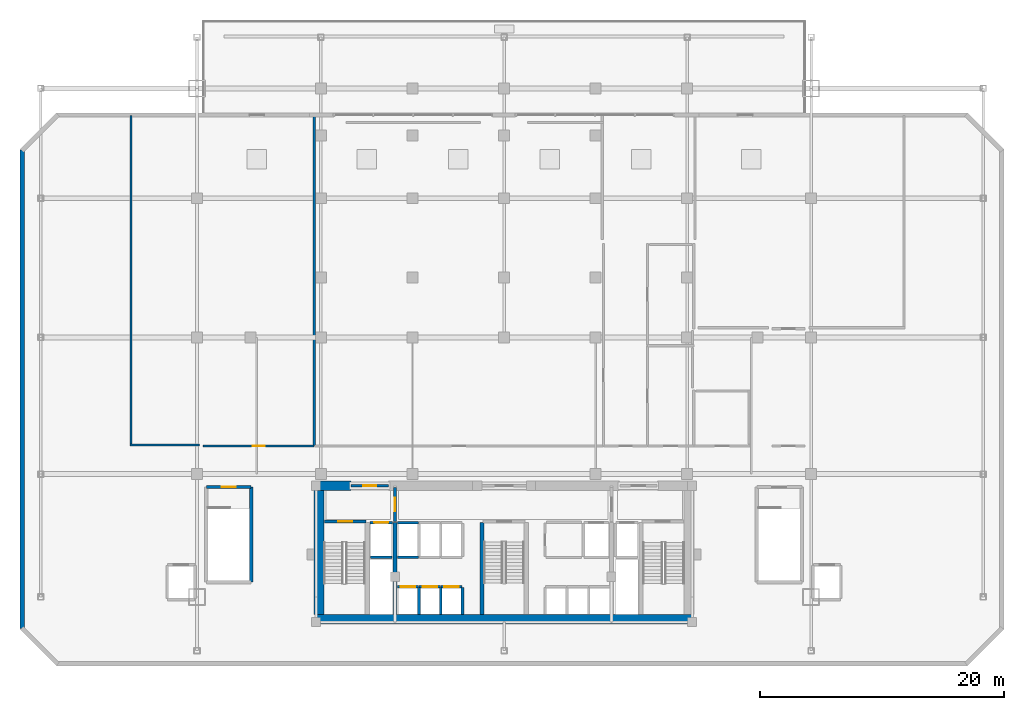
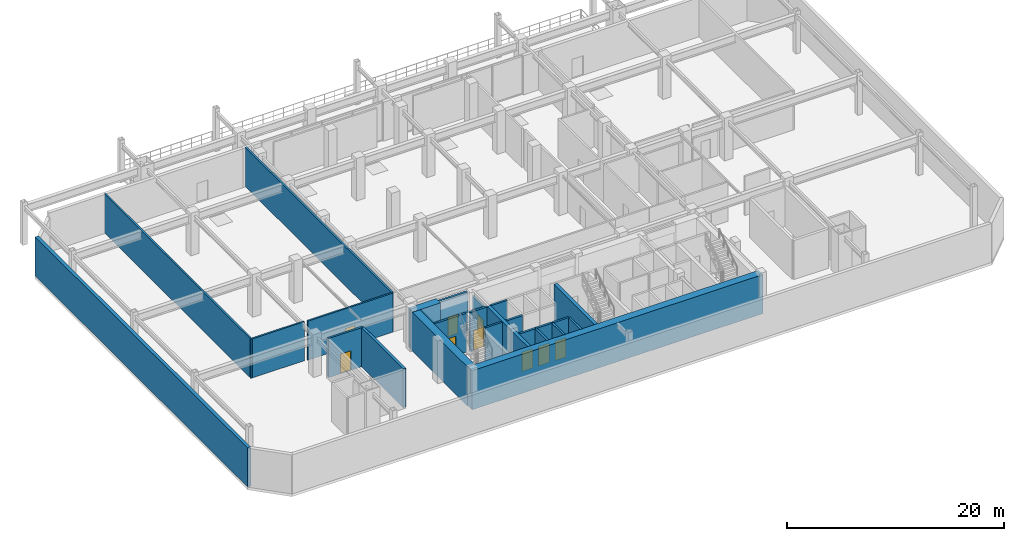
# One storey, part 10 of 15: 25 walls, 9 doors, 9 openings.
"""IFC4 building model written with IfcOpenShell, lengths in metres."""

from ifc_helpers import new_model, si_unit, direction, frame, frame_2d, origin, place, context, subcontext, project, spatial, rectangle, extrude, material, layer, layer_set, type_object, element, fill, save


model = new_model("IFC4")

# Units and contexts
model_context = context("Model", 3, precision=1e-05, world=origin(), true_north=direction((0.0, 1.0)))
body_context = subcontext(model_context, "Body", "Model", "MODEL_VIEW")
ifc_project = project(units=[si_unit("LENGTHUNIT", "METRE"), si_unit("AREAUNIT", "SQUARE_METRE"), si_unit("VOLUMEUNIT", "CUBIC_METRE"), si_unit("PLANEANGLEUNIT", "RADIAN"), si_unit("MASSUNIT", "GRAM", prefix="KILO")], contexts=[model_context])

# Site, building, storey
site_placement = place(None, origin())
site = spatial("IfcSite", under=ifc_project, at=site_placement, CompositionType="ELEMENT")
building_placement = place(site_placement, origin())
building = spatial("IfcBuilding", under=site, at=building_placement, Name="Ventersveld Concourse Tower", CompositionType="ELEMENT")
storey_placement = place(building_placement, frame((0.0, 0.0, 19.800048828125)))
storey = spatial("IfcBuildingStorey", under=building, at=storey_placement, Name="L04", CompositionType="ELEMENT", Elevation=19.800048828125)

# Walls
ifc_material_1 = material(Name="Concrete C60/75", Category="concrete")
ifc_layer_1 = layer(ifc_material_1, 0.35009765625)
ifc_layer_set_1 = layer_set([ifc_layer_1], Name="Concrete C60/75")
wall_type_1 = type_object("IfcWallType", Name="WL-CORE-350L", PredefinedType="SHEAR", material=ifc_layer_set_1)
for number, where, z_axis, x_axis, name in (
    (1, (19.820068359375, 0.919921875, 0.0), (0.0, 0.0, 1.0), (0.0, 1.0, 0.0), "L04 Core Internal Shear Web W-FF1-E"),
    (2, (26.93994140625, 0.919921875, 0.0), (0.0, 0.0, 1.0), (0.0, 1.0, 0.0), "L04 Core Internal Shear Web W-ST3-W"),
):
    element("IfcWall", number, at=place(storey_placement, frame(where, z_axis=z_axis, x_axis=x_axis)), inside=storey, type_object=wall_type_1, Name=name, PredefinedType="SHEAR", context=body_context, shape_type="SweptSolid", body=[
        extrude(rectangle(XDim=7.5, YDim=0.35009765625, at=frame_2d((3.75, 0.0))), origin(), (0.0, 0.0, 1.0), 4.39990234375),
    ])
ifc_layer_2 = layer(ifc_material_1, 0.800048828125)
ifc_layer_set_2 = layer_set([ifc_layer_2], Name="Concrete C60/75")
wall_type_2 = type_object("IfcWallType", Name="WL-CORE-800", PredefinedType="SHEAR", material=ifc_layer_set_2)
wall_1_placement = place(storey_placement, frame((13.25, 0.52001953125, 0.0), z_axis=(0.0, 0.0, 1.0), x_axis=(1.0, 0.0, 0.0)))
element("IfcWall", 3, at=wall_1_placement, inside=storey, type_object=wall_type_2, Name="L04 Rear Core South Shear Wall", PredefinedType="SHEAR", context=body_context, shape_type="SweptSolid", body=[
    extrude(rectangle(XDim=31.0, YDim=0.800048828125, at=frame_2d((15.5, 0.0))), origin(), (0.0, 0.0, 1.0), 4.39990234375),
])
wall_2_placement = place(storey_placement, frame((13.60009765625, 0.919921875, 0.0), z_axis=(0.0, 0.0, 1.0), x_axis=(0.0, 1.0, 0.0)))
element("IfcWall", 4, at=wall_2_placement, inside=storey, type_object=wall_type_2, Name="L04 Rear Core West Shear Wall", PredefinedType="SHEAR", context=body_context, shape_type="SweptSolid", body=[
    extrude(rectangle(XDim=10.530029296875, YDim=0.800048828125, at=frame_2d((5.26513671875, 0.0))), origin(), (0.0, 0.0, 1.0), 4.39990234375),
])
wall_3_placement = place(storey_placement, frame((13.25, 11.449951171875, 0.0), z_axis=(0.0, 0.0, 1.0), x_axis=(1.0, 0.0, 0.0)))
element("IfcWall", 5, at=wall_3_placement, inside=storey, type_object=wall_type_2, Name="L04 Rear Core North Shear Wall NW", PredefinedType="SHEAR", context=body_context, shape_type="SweptSolid", body=[
    extrude(rectangle(XDim=2.949951171875, YDim=0.800048828125, at=frame_2d((1.47509765625, 0.0))), origin(), (0.0, 0.0, 1.0), 4.39990234375),
])

# Wall, opening, door
ifc_material_2 = material(Name="Fire-rated autoclaved aerated masonry blockwork", Category="masonry")
ifc_layer_3 = layer(ifc_material_2, 0.179931640625)
ifc_layer_set_3 = layer_set([ifc_layer_3], Name="Fire-rated autoclaved aerated masonry blockwork")
wall_type_3 = type_object("IfcWallType", Name="WL-CORR-180", PredefinedType="PARTITIONING", material=ifc_layer_set_3)
wall_4_placement = place(storey_placement, frame((4.10498046875, 14.699951171875, 0.0), z_axis=(0.0, 0.0, 1.0), x_axis=(1.0, 0.0, 0.0)))
wall_4 = element("IfcWall", 6, at=wall_4_placement, inside=storey, type_object=wall_type_3, Name="L04 Interior Partition SP-L04-COR-SP-L04-GYM", PredefinedType="PARTITIONING", context=body_context, shape_type="SweptSolid", body=[
    extrude(rectangle(XDim=9.090087890625, YDim=0.179931640625, at=frame_2d((4.544921875, 0.0))), origin(), (0.0, 0.0, 1.0), 4.39990234375),
])
opening_1_placement = place(wall_4_placement, frame((4.044921875, 0.0, 0.0)))
opening_1 = element("IfcOpeningElement", 7, at=opening_1_placement, cuts=wall_4, Name="Opening FD3", PredefinedType="OPENING", context=body_context, shape_type="SweptSolid", body=[
    extrude(rectangle(XDim=1.0, YDim=2.14990234375, at=frame_2d((0.5, 1.074951171875))), frame((0.0, 0.10009765625, 0.0), z_axis=(0.0, -1.0, 0.0), x_axis=(1.0, 0.0, 0.0)), (0.0, 0.0, 1.0), 0.199951171875),
])
ifc_material_3 = material(Name="Solid-core hardwood veneer timber", Category="wood")
door_type_1 = type_object("IfcDoorType", Name="DR-FLAT-100", OperationType="NOTDEFINED", PredefinedType="DOOR", material=ifc_material_3)
door_1_placement = place(opening_1_placement, origin())
door_1 = element("IfcDoor", 8, at=door_1_placement, inside=storey, type_object=door_type_1, Name="L04 Interior Door SP-L04-COR to SP-L04-GYM (D-L04-0145)", OperationType="SINGLE_SWING_LEFT", OverallHeight=2.14990234375, OverallWidth=1.0, PredefinedType="DOOR", context=body_context, shape_type="SweptSolid", body=[
    extrude(rectangle(XDim=1.0, YDim=2.14990234375, at=frame_2d((0.5, 1.074951171875))), frame((0.0, 0.02490234375, 0.0), z_axis=(0.0, -1.0, 0.0), x_axis=(1.0, 0.0, 0.0)), (0.0, 0.0, 1.0), 0.050048828125),
])
fill(opening_1, door_1)

# Walls
wall_5_placement = place(storey_placement, frame((-1.89501953125, 14.800048828125, 0.0), z_axis=(0.0, 0.0, 1.0), x_axis=(1.0, 0.0, 0.0)))
element("IfcWall", 9, at=wall_5_placement, inside=storey, type_object=wall_type_3, Name="L04 Room Enclosure Wall SP-L04-GYM", PredefinedType="PARTITIONING", context=body_context, shape_type="SweptSolid", body=[
    extrude(rectangle(XDim=5.6875, YDim=0.179931640625, at=frame_2d((2.84375, 0.0))), origin(), (0.0, 0.0, 1.0), 4.39990234375),
])
wall_6_placement = place(storey_placement, frame((-1.800048828125, 41.784912109375, 0.0), z_axis=(0.0, 0.0, 1.0), x_axis=(0.0, -1.0, 0.0)))
element("IfcWall", 10, at=wall_6_placement, inside=storey, type_object=wall_type_3, Name="L04 Room Enclosure Wall SP-L04-GYM", PredefinedType="PARTITIONING", context=body_context, shape_type="SweptSolid", body=[
    extrude(rectangle(XDim=27.079833984375, YDim=0.179931640625, at=frame_2d((13.5400390625, 0.0))), origin(), (0.0, 0.0, 1.0), 4.39990234375),
])
ifc_layer_4 = layer(ifc_material_2, 0.199951171875)
ifc_layer_set_4 = layer_set([ifc_layer_4], Name="Fire-rated autoclaved aerated masonry blockwork")
wall_type_4 = type_object("IfcWallType", Name="WL-DEMISE-200", PredefinedType="PARTITIONING", material=ifc_layer_set_4)
wall_7_placement = place(storey_placement, frame((13.199951171875, 14.705078125, 0.0), z_axis=(0.0, 0.0, 1.0), x_axis=(0.0, 1.0, 0.0)))
element("IfcWall", 11, at=wall_7_placement, inside=storey, type_object=wall_type_4, Name="L04 Interior Partition SP-L04-GYM-SP-L04-LOUNGE", PredefinedType="PARTITIONING", context=body_context, shape_type="SweptSolid", body=[
    extrude(rectangle(XDim=27.079833984375, YDim=0.199951171875, at=frame_2d((13.5400390625, 0.0))), origin(), (0.0, 0.0, 1.0), 4.39990234375),
])
ifc_layer_5 = layer(ifc_material_2, 0.219970703125)
ifc_layer_set_5 = layer_set([ifc_layer_5], Name="Fire-rated autoclaved aerated masonry blockwork")
wall_type_5 = type_object("IfcWallType", Name="WL-HOIST-220", PredefinedType="SOLIDWALL", material=ifc_layer_set_5)
wall_8_placement = place(storey_placement, frame((17.800048828125, 5.590087890625, 0.0), z_axis=(0.0, 0.0, 1.0), x_axis=(1.0, 0.0, 0.0)))
element("IfcWall", 12, at=wall_8_placement, inside=storey, type_object=wall_type_5, Name="L04 Lift Hoistway Back Wall FFL-01", PredefinedType="SOLIDWALL", context=body_context, shape_type="SweptSolid", body=[
    extrude(rectangle(XDim=1.780029296875, YDim=0.219970703125, at=frame_2d((0.89013671875, 0.0))), origin(), (0.0, 0.0, 1.0), 4.39990234375),
])

# Wall, opening, door
wall_9_placement = place(storey_placement, frame((17.780029296875, 8.429931640625, 0.0), z_axis=(0.0, 0.0, 1.0), x_axis=(1.0, 0.0, 0.0)))
wall_9 = element("IfcWall", 13, at=wall_9_placement, inside=storey, type_object=wall_type_5, Name="L04 Lift Hoistway Front Wall FFL-01", PredefinedType="SOLIDWALL", context=body_context, shape_type="SweptSolid", body=[
    extrude(rectangle(XDim=1.820068359375, YDim=0.219970703125, at=frame_2d((0.91015625, 0.0))), origin(), (0.0, 0.0, 1.0), 4.39990234375),
])
opening_2_placement = place(wall_9_placement, frame((0.35009765625, 0.0, 0.0)))
opening_2 = element("IfcOpeningElement", 14, at=opening_2_placement, cuts=wall_9, Name="Opening LD1", PredefinedType="OPENING", context=body_context, shape_type="SweptSolid", body=[
    extrude(rectangle(XDim=1.1201171875, YDim=2.25, at=frame_2d((0.56005859375, 1.125))), frame((0.0, 0.1201171875, 0.0), z_axis=(0.0, -1.0, 0.0), x_axis=(1.0, 0.0, 0.0)), (0.0, 0.0, 1.0), 0.239990234375),
])
ifc_material_4 = material(Name="Brushed stainless steel 316", Category="steel")
door_type_2 = type_object("IfcDoorType", Name="LD-FF-112", OperationType="SLIDING_TO_LEFT", PredefinedType="DOOR", material=ifc_material_4)
door_2_placement = place(opening_2_placement, origin())
door_2 = element("IfcDoor", 15, at=door_2_placement, inside=storey, type_object=door_type_2, Name="L04 Lift landing door FFL-01 (LD-L04-FFL-01)", OperationType="SLIDING_TO_RIGHT", OverallHeight=2.25, OverallWidth=1.1201171875, PredefinedType="DOOR", context=body_context, shape_type="SweptSolid", body=[
    extrude(rectangle(XDim=1.1201171875, YDim=2.25, at=frame_2d((0.56005859375, 1.125))), frame((0.0, 0.02490234375, 0.0), z_axis=(0.0, -1.0, 0.0), x_axis=(1.0, 0.0, 0.0)), (0.0, 0.0, 1.0), 0.050048828125),
])
fill(opening_2, door_2)

# Wall
wall_10_placement = place(storey_placement, frame((21.780029296875, 0.89990234375, 0.0), z_axis=(0.0, 0.0, 1.0), x_axis=(0.0, 1.0, 0.0)))
element("IfcWall", 16, at=wall_10_placement, inside=storey, type_object=wall_type_5, Name="L04 Lift Hoistway Side Wall PL-01E", PredefinedType="SOLIDWALL", context=body_context, shape_type="SweptSolid", body=[
    extrude(rectangle(XDim=2.2001953125, YDim=0.219970703125, at=frame_2d((1.10009765625, 0.0))), origin(), (0.0, 0.0, 1.0), 4.39990234375),
])

# Wall, opening, door
wall_11_placement = place(storey_placement, frame((20.02001953125, 3.179931640625, 0.0), z_axis=(0.0, 0.0, 1.0), x_axis=(1.0, 0.0, 0.0)))
wall_11 = element("IfcWall", 17, at=wall_11_placement, inside=storey, type_object=wall_type_5, Name="L04 Lift Hoistway Front Wall PL-01", PredefinedType="SOLIDWALL", context=body_context, shape_type="SweptSolid", body=[
    extrude(rectangle(XDim=1.739990234375, YDim=0.219970703125, at=frame_2d((0.8701171875, 0.0))), origin(), (0.0, 0.0, 1.0), 4.39990234375),
])
opening_3_placement = place(wall_11_placement, frame((0.280029296875, 0.0, 0.0)))
opening_3 = element("IfcOpeningElement", 18, at=opening_3_placement, cuts=wall_11, Name="Opening LD2", PredefinedType="OPENING", context=body_context, shape_type="SweptSolid", body=[
    extrude(rectangle(XDim=1.179931640625, YDim=2.199951171875, at=frame_2d((0.58984375, 1.10009765625))), frame((0.0, 0.1201171875, 0.0), z_axis=(0.0, -1.0, 0.0), x_axis=(1.0, 0.0, 0.0)), (0.0, 0.0, 1.0), 0.239990234375),
])
door_type_3 = type_object("IfcDoorType", Name="LD-PAX-118", OperationType="SLIDING_TO_LEFT", PredefinedType="DOOR", material=ifc_material_4)
door_3_placement = place(opening_3_placement, origin())
door_3 = element("IfcDoor", 19, at=door_3_placement, inside=storey, type_object=door_type_3, Name="L04 Lift landing door PL-01 (LD-L04-PL-01)", OperationType="SLIDING_TO_LEFT", OverallHeight=2.199951171875, OverallWidth=1.179931640625, PredefinedType="DOOR", context=body_context, shape_type="SweptSolid", body=[
    extrude(rectangle(XDim=1.179931640625, YDim=2.199951171875, at=frame_2d((0.58984375, 1.10009765625))), frame((0.0, 0.02490234375, 0.0), z_axis=(0.0, -1.0, 0.0), x_axis=(1.0, 0.0, 0.0)), (0.0, 0.0, 1.0), 0.050048828125),
])
fill(opening_3, door_3)

# Wall
wall_12_placement = place(storey_placement, frame((23.56005859375, 0.89990234375, 0.0), z_axis=(0.0, 0.0, 1.0), x_axis=(0.0, 1.0, 0.0)))
element("IfcWall", 20, at=wall_12_placement, inside=storey, type_object=wall_type_5, Name="L04 Lift Hoistway Side Wall PL-02E", PredefinedType="SOLIDWALL", context=body_context, shape_type="SweptSolid", body=[
    extrude(rectangle(XDim=2.2001953125, YDim=0.219970703125, at=frame_2d((1.10009765625, 0.0))), origin(), (0.0, 0.0, 1.0), 4.39990234375),
])

# Wall, opening, door
wall_13_placement = place(storey_placement, frame((21.800048828125, 3.179931640625, 0.0), z_axis=(0.0, 0.0, 1.0), x_axis=(1.0, 0.0, 0.0)))
wall_13 = element("IfcWall", 21, at=wall_13_placement, inside=storey, type_object=wall_type_5, Name="L04 Lift Hoistway Front Wall PL-02", PredefinedType="SOLIDWALL", context=body_context, shape_type="SweptSolid", body=[
    extrude(rectangle(XDim=1.739990234375, YDim=0.219970703125, at=frame_2d((0.8701171875, 0.0))), origin(), (0.0, 0.0, 1.0), 4.39990234375),
])
opening_4_placement = place(wall_13_placement, frame((0.280029296875, 0.0, 0.0)))
opening_4 = element("IfcOpeningElement", 22, at=opening_4_placement, cuts=wall_13, Name="Opening LD2", PredefinedType="OPENING", context=body_context, shape_type="SweptSolid", body=[
    extrude(rectangle(XDim=1.179931640625, YDim=2.199951171875, at=frame_2d((0.58984375, 1.10009765625))), frame((0.0, 0.1201171875, 0.0), z_axis=(0.0, -1.0, 0.0), x_axis=(1.0, 0.0, 0.0)), (0.0, 0.0, 1.0), 0.239990234375),
])
door_4_placement = place(opening_4_placement, origin())
door_4 = element("IfcDoor", 23, at=door_4_placement, inside=storey, type_object=door_type_3, Name="L04 Lift landing door PL-02 (LD-L04-PL-02)", OperationType="SLIDING_TO_RIGHT", OverallHeight=2.199951171875, OverallWidth=1.179931640625, PredefinedType="DOOR", context=body_context, shape_type="SweptSolid", body=[
    extrude(rectangle(XDim=1.179931640625, YDim=2.199951171875, at=frame_2d((0.58984375, 1.10009765625))), frame((0.0, 0.02490234375, 0.0), z_axis=(0.0, -1.0, 0.0), x_axis=(1.0, 0.0, 0.0)), (0.0, 0.0, 1.0), 0.050048828125),
])
fill(opening_4, door_4)

# Wall
wall_14_placement = place(storey_placement, frame((25.340087890625, 0.89990234375, 0.0), z_axis=(0.0, 0.0, 1.0), x_axis=(0.0, 1.0, 0.0)))
element("IfcWall", 24, at=wall_14_placement, inside=storey, type_object=wall_type_5, Name="L04 Lift Hoistway Side Wall PL-03E", PredefinedType="SOLIDWALL", context=body_context, shape_type="SweptSolid", body=[
    extrude(rectangle(XDim=2.2001953125, YDim=0.219970703125, at=frame_2d((1.10009765625, 0.0))), origin(), (0.0, 0.0, 1.0), 4.39990234375),
])

# Wall, opening, door
wall_15_placement = place(storey_placement, frame((23.580078125, 3.179931640625, 0.0), z_axis=(0.0, 0.0, 1.0), x_axis=(1.0, 0.0, 0.0)))
wall_15 = element("IfcWall", 25, at=wall_15_placement, inside=storey, type_object=wall_type_5, Name="L04 Lift Hoistway Front Wall PL-03", PredefinedType="SOLIDWALL", context=body_context, shape_type="SweptSolid", body=[
    extrude(rectangle(XDim=1.739990234375, YDim=0.219970703125, at=frame_2d((0.8701171875, 0.0))), origin(), (0.0, 0.0, 1.0), 4.39990234375),
])
opening_5_placement = place(wall_15_placement, frame((0.280029296875, 0.0, 0.0)))
opening_5 = element("IfcOpeningElement", 26, at=opening_5_placement, cuts=wall_15, Name="Opening LD2", PredefinedType="OPENING", context=body_context, shape_type="SweptSolid", body=[
    extrude(rectangle(XDim=1.179931640625, YDim=2.199951171875, at=frame_2d((0.58984375, 1.10009765625))), frame((0.0, 0.1201171875, 0.0), z_axis=(0.0, -1.0, 0.0), x_axis=(1.0, 0.0, 0.0)), (0.0, 0.0, 1.0), 0.239990234375),
])
door_5_placement = place(opening_5_placement, origin())
door_5 = element("IfcDoor", 27, at=door_5_placement, inside=storey, type_object=door_type_3, Name="L04 Lift landing door PL-03 (LD-L04-PL-03)", OperationType="SLIDING_TO_LEFT", OverallHeight=2.199951171875, OverallWidth=1.179931640625, PredefinedType="DOOR", context=body_context, shape_type="SweptSolid", body=[
    extrude(rectangle(XDim=1.179931640625, YDim=2.199951171875, at=frame_2d((0.58984375, 1.10009765625))), frame((0.0, 0.02490234375, 0.0), z_axis=(0.0, -1.0, 0.0), x_axis=(1.0, 0.0, 0.0)), (0.0, 0.0, 1.0), 0.050048828125),
])
fill(opening_5, door_5)

# Walls
wall_16_placement = place(storey_placement, frame((20.0400390625, 5.590087890625, 0.0), z_axis=(0.0, 0.0, 1.0), x_axis=(1.0, 0.0, 0.0)))
element("IfcWall", 28, at=wall_16_placement, inside=storey, type_object=wall_type_5, Name="L04 Lift Hoistway Back Wall PH-01", PredefinedType="SOLIDWALL", context=body_context, shape_type="SweptSolid", body=[
    extrude(rectangle(XDim=1.699951171875, YDim=0.219970703125, at=frame_2d((0.85009765625, 0.0))), origin(), (0.0, 0.0, 1.0), 4.39990234375),
])
wall_17_placement = place(storey_placement, frame((20.02001953125, 8.429931640625, 0.0), z_axis=(0.0, 0.0, 1.0), x_axis=(1.0, 0.0, 0.0)))
element("IfcWall", 29, at=wall_17_placement, inside=storey, type_object=wall_type_5, Name="L04 Lift Hoistway Front Wall PH-01", PredefinedType="SOLIDWALL", context=body_context, shape_type="SweptSolid", body=[
    extrude(rectangle(XDim=1.739990234375, YDim=0.219970703125, at=frame_2d((0.8701171875, 0.0))), origin(), (0.0, 0.0, 1.0), 4.39990234375),
])

# Wall, opening, door
wall_18_placement = place(storey_placement, frame((14.0400390625, 8.52001953125, 0.0), z_axis=(0.0, 0.0, 1.0), x_axis=(1.0, 0.0, 0.0)))
wall_18 = element("IfcWall", 30, at=wall_18_placement, inside=storey, type_object=wall_type_5, Name="L04 Escape Stair ST01 Fire Wall", PredefinedType="SOLIDWALL", context=body_context, shape_type="SweptSolid", body=[
    extrude(rectangle(XDim=3.39990234375, YDim=0.219970703125, at=frame_2d((1.699951171875, 0.0))), origin(), (0.0, 0.0, 1.0), 4.39990234375),
])
opening_6_placement = place(wall_18_placement, frame((1.125, 0.0, 0.0)))
opening_6 = element("IfcOpeningElement", 31, at=opening_6_placement, cuts=wall_18, Name="Opening FD1", PredefinedType="OPENING", context=body_context, shape_type="SweptSolid", body=[
    extrude(rectangle(XDim=1.14990234375, YDim=2.199951171875, at=frame_2d((0.574951171875, 1.10009765625))), frame((0.0, 0.1201171875, 0.0), z_axis=(0.0, -1.0, 0.0), x_axis=(1.0, 0.0, 0.0)), (0.0, 0.0, 1.0), 0.239990234375),
])
ifc_material_5 = material(Name="Galvanised painted steel", Category="steel")
door_type_4 = type_object("IfcDoorType", Name="DR-STAIR-115", OperationType="NOTDEFINED", PredefinedType="DOOR", material=ifc_material_5)
door_6_placement = place(opening_6_placement, origin())
door_6 = element("IfcDoor", 32, at=door_6_placement, inside=storey, type_object=door_type_4, Name="L04 Escape Stair Door ST01 (SD-L04-0134)", OperationType="SINGLE_SWING_LEFT", OverallHeight=2.199951171875, OverallWidth=1.14990234375, PredefinedType="DOOR", context=body_context, shape_type="SweptSolid", body=[
    extrude(rectangle(XDim=1.14990234375, YDim=2.199951171875, at=frame_2d((0.574951171875, 1.10009765625))), frame((0.0, 0.02490234375, 0.0), z_axis=(0.0, -1.0, 0.0), x_axis=(1.0, 0.0, 0.0)), (0.0, 0.0, 1.0), 0.050048828125),
])
fill(opening_6, door_6)

wall_19_placement = place(storey_placement, frame((4.360107421875, 11.35009765625, 0.0), z_axis=(0.0, 0.0, 1.0), x_axis=(1.0, 0.0, 0.0)))
wall_19 = element("IfcWall", 33, at=wall_19_placement, inside=storey, type_object=wall_type_5, Name="L04 Escape Stair ST04 Fire Wall", PredefinedType="SOLIDWALL", context=body_context, shape_type="SweptSolid", body=[
    extrude(rectangle(XDim=3.679931640625, YDim=0.219970703125, at=frame_2d((1.83984375, 0.0))), origin(), (0.0, 0.0, 1.0), 4.39990234375),
])
opening_7_placement = place(wall_19_placement, frame((1.264892578125, 0.0, 0.0)))
opening_7 = element("IfcOpeningElement", 34, at=opening_7_placement, cuts=wall_19, Name="Opening FD1", PredefinedType="OPENING", context=body_context, shape_type="SweptSolid", body=[
    extrude(rectangle(XDim=1.14990234375, YDim=2.199951171875, at=frame_2d((0.574951171875, 1.10009765625))), frame((0.0, 0.1201171875, 0.0), z_axis=(0.0, -1.0, 0.0), x_axis=(1.0, 0.0, 0.0)), (0.0, 0.0, 1.0), 0.239990234375),
])
door_7_placement = place(opening_7_placement, origin())
door_7 = element("IfcDoor", 35, at=door_7_placement, inside=storey, type_object=door_type_4, Name="L04 Escape Stair Door ST04 (SD-L04-0137)", OperationType="SINGLE_SWING_RIGHT", OverallHeight=2.199951171875, OverallWidth=1.14990234375, PredefinedType="DOOR", context=body_context, shape_type="SweptSolid", body=[
    extrude(rectangle(XDim=1.14990234375, YDim=2.199951171875, at=frame_2d((0.574951171875, 1.10009765625))), frame((0.0, 0.02490234375, 0.0), z_axis=(0.0, -1.0, 0.0), x_axis=(1.0, 0.0, 0.0)), (0.0, 0.0, 1.0), 0.050048828125),
])
fill(opening_7, door_7)

wall_20_placement = place(storey_placement, frame((19.820068359375, 8.52001953125, 0.0), z_axis=(0.0, 0.0, 1.0), x_axis=(0.0, 1.0, 0.0)))
wall_20 = element("IfcWall", 36, at=wall_20_placement, inside=storey, type_object=wall_type_5, Name="L04 Firefighting Lobby Smoke-Stop Wall FFLW-SEP", PredefinedType="SOLIDWALL", context=body_context, shape_type="SweptSolid", body=[
    extrude(rectangle(XDim=2.800048828125, YDim=0.219970703125, at=frame_2d((1.39990234375, 0.0))), origin(), (0.0, 0.0, 1.0), 3.85546875),
])
opening_8_placement = place(wall_20_placement, frame((0.85009765625, 0.0, 0.0)))
opening_8 = element("IfcOpeningElement", 37, at=opening_8_placement, cuts=wall_20, Name="Opening FD2", PredefinedType="OPENING", context=body_context, shape_type="SweptSolid", body=[
    extrude(rectangle(XDim=1.10009765625, YDim=2.199951171875, at=frame_2d((0.550048828125, 1.10009765625))), frame((0.0, 0.1201171875, 0.0), z_axis=(0.0, -1.0, 0.0), x_axis=(1.0, 0.0, 0.0)), (0.0, 0.0, 1.0), 0.239990234375),
])
door_type_5 = type_object("IfcDoorType", Name="DR-FFL-110", OperationType="NOTDEFINED", PredefinedType="DOOR", material=ifc_material_5)
door_8_placement = place(opening_8_placement, origin())
door_8 = element("IfcDoor", 38, at=door_8_placement, inside=storey, type_object=door_type_5, Name="L04 Firefighting Lobby Door FFLW-SEP (FD-L04-0139)", OperationType="SINGLE_SWING_LEFT", OverallHeight=2.199951171875, OverallWidth=1.10009765625, PredefinedType="DOOR", context=body_context, shape_type="SweptSolid", body=[
    extrude(rectangle(XDim=1.10009765625, YDim=2.199951171875, at=frame_2d((0.550048828125, 1.10009765625))), frame((0.0, 0.02490234375, 0.0), z_axis=(0.0, -1.0, 0.0), x_axis=(1.0, 0.0, 0.0)), (0.0, 0.0, 1.0), 0.050048828125),
])
fill(opening_8, door_8)

wall_21_placement = place(storey_placement, frame((16.22998046875, 11.449951171875, 0.0), z_axis=(0.0, 0.0, 1.0), x_axis=(1.0, 0.0, 0.0)))
wall_21 = element("IfcWall", 39, at=wall_21_placement, inside=storey, type_object=wall_type_5, Name="L04 Core North Fire Portal FFLW-OUT", PredefinedType="SOLIDWALL", context=body_context, shape_type="SweptSolid", body=[
    extrude(rectangle(XDim=3.0400390625, YDim=0.219970703125, at=frame_2d((1.52001953125, 0.0))), origin(), (0.0, 0.0, 1.0), 4.39990234375),
])
opening_9_placement = place(wall_21_placement, frame((0.969970703125, 0.0, 0.0)))
opening_9 = element("IfcOpeningElement", 40, at=opening_9_placement, cuts=wall_21, Name="Opening FD2", PredefinedType="OPENING", context=body_context, shape_type="SweptSolid", body=[
    extrude(rectangle(XDim=1.10009765625, YDim=2.199951171875, at=frame_2d((0.550048828125, 1.10009765625))), frame((0.0, 0.1201171875, 0.0), z_axis=(0.0, -1.0, 0.0), x_axis=(1.0, 0.0, 0.0)), (0.0, 0.0, 1.0), 0.239990234375),
])
door_9_placement = place(opening_9_placement, origin())
door_9 = element("IfcDoor", 41, at=door_9_placement, inside=storey, type_object=door_type_5, Name="L04 Core Lobby Fire Door FFLW-OUT (FD-L04-0141)", OperationType="SINGLE_SWING_RIGHT", OverallHeight=2.199951171875, OverallWidth=1.10009765625, PredefinedType="DOOR", context=body_context, shape_type="SweptSolid", body=[
    extrude(rectangle(XDim=1.10009765625, YDim=2.199951171875, at=frame_2d((0.550048828125, 1.10009765625))), frame((0.0, 0.02490234375, 0.0), z_axis=(0.0, -1.0, 0.0), x_axis=(1.0, 0.0, 0.0)), (0.0, 0.0, 1.0), 0.050048828125),
])
fill(opening_9, door_9)

# Walls
ifc_material_6 = material(Name="Precast concrete C45/55", Category="concrete")
ifc_layer_6 = layer(ifc_material_6, 0.35009765625)
ifc_layer_set_6 = layer_set([ifc_layer_6], Name="Precast concrete C45/55")
wall_type_6 = type_object("IfcWallType", Name="WL-PREC-350", PredefinedType="SOLIDWALL", material=ifc_layer_set_6)
wall_22_placement = place(storey_placement, frame((-10.719970703125, 38.9599609375, 0.0), z_axis=(0.0, 0.0, 1.0), x_axis=(0.0, -1.0, 0.0)))
element("IfcWall", 42, at=wall_22_placement, inside=storey, type_object=wall_type_6, Name="L04 Podium Precast Perimeter Wall 07", PredefinedType="SOLIDWALL", context=body_context, shape_type="SweptSolid", body=[
    extrude(rectangle(XDim=39.219970703125, YDim=0.35009765625, at=frame_2d((19.60986328125, 0.0))), origin(), (0.0, 0.0, 1.0), 4.39990234375),
])
ifc_material_7 = material(Name="Concrete C50/60", Category="concrete")
ifc_layer_7 = layer(ifc_material_7, 0.280029296875)
ifc_layer_set_7 = layer_set([ifc_layer_7], Name="Concrete C50/60")
wall_type_7 = type_object("IfcWallType", Name="WL-SHAFT-280", PredefinedType="SHEAR", material=ifc_layer_set_7)
wall_23_placement = place(storey_placement, frame((8.0400390625, 3.56005859375, 0.0), z_axis=(0.0, 0.0, 1.0), x_axis=(0.0, 1.0, 0.0)))
element("IfcWall", 43, at=wall_23_placement, inside=storey, type_object=wall_type_7, Name="L04 ST04 Structural Shaft Wall E", PredefinedType="SHEAR", context=body_context, shape_type="SweptSolid", body=[
    extrude(rectangle(XDim=7.7900390625, YDim=0.280029296875, at=frame_2d((3.89501953125, 0.0))), origin(), (0.0, 0.0, 1.0), 4.39990234375),
])

save(model, "model.ifc")
